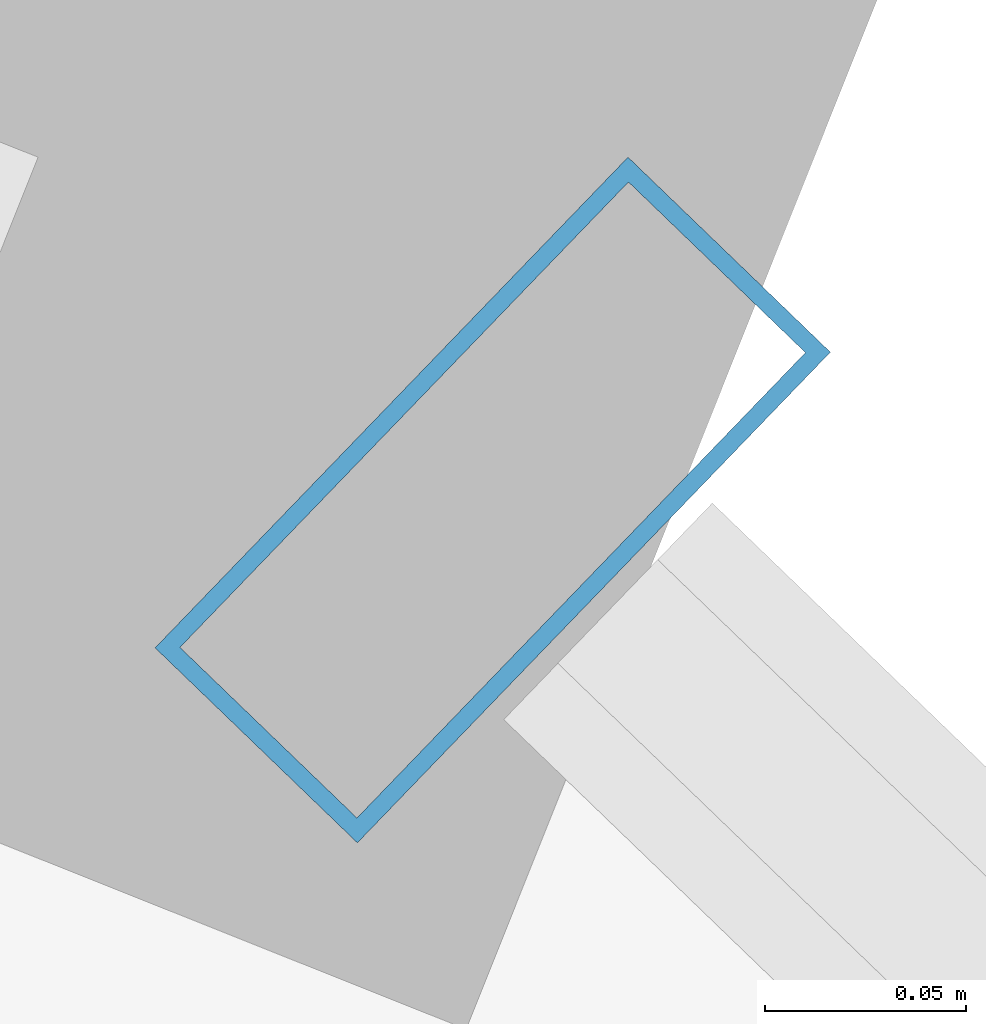
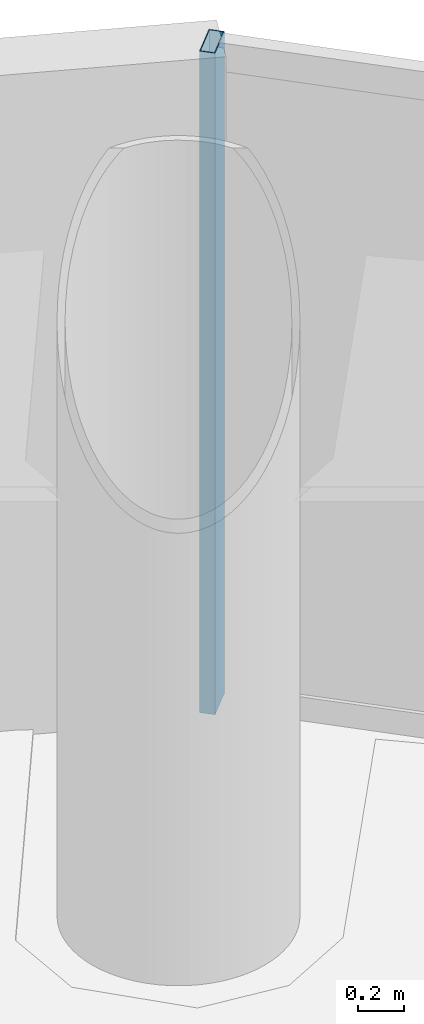
# One storey, part 16 of 24: 1 member, 1 element without a shape of its own.
"""IFC4 building model written with IfcOpenShell, lengths in metres."""

from ifc_helpers import new_model, si_unit, direction, frame, origin, origin_2d, place, context, subcontext, project, spatial, hollow_rectangle, extrude, source, transform, mapped, material, material_profile, profile_set, type_object, element, aggregate, save


model = new_model("IFC4")

# Units and contexts
model_context = context("Model", 3, precision=1e-05, world=origin(), true_north=direction((-0.2419218956, 0.970295726276)))
body_context = subcontext(model_context, "Body", "Model", "MODEL_VIEW")
ifc_project = project(units=[si_unit("LENGTHUNIT", "METRE"), si_unit("AREAUNIT", "SQUARE_METRE"), si_unit("VOLUMEUNIT", "CUBIC_METRE"), si_unit("PLANEANGLEUNIT", "RADIAN"), si_unit("MASSUNIT", "GRAM", prefix="KILO")], contexts=[model_context])

# Site, building, storey
site_placement = place(None, origin())
site = spatial("IfcSite", under=ifc_project, at=site_placement, CompositionType="ELEMENT")
building_placement = place(site_placement, origin())
building = spatial("IfcBuilding", under=site, at=building_placement, Name="Cobrevalo Terracotta Tower", CompositionType="ELEMENT")
storey_placement = place(building_placement, frame((0.0, 0.0, 278.199951171875)))
storey = spatial("IfcBuildingStorey", under=building, at=storey_placement, Name="L73", CompositionType="ELEMENT", Elevation=278.199951171875)

# Curtain wall, member
ifc_material = material(Name="Anodized aluminium", Category="aluminium")
curtain_wall_type = type_object("IfcCurtainWallType", Name="Upper-tower triple-glazed penthouse curtain wall CW-U3", PredefinedType="NOTDEFINED", material=ifc_material)
curtain_wall_placement = place(storey_placement, origin())
curtain_wall = element("IfcCurtainWall", 1, at=curtain_wall_placement, inside=storey, type_object=curtain_wall_type, Name="L73 curtain wall CW-L73-S02", PredefinedType="NOTDEFINED")
ifc_material_profile = material_profile(ifc_material, hollow_rectangle(XDim=0.070068359375, YDim=0.169921875, WallThickness=0.00439453125, at=origin_2d()), Name="CWM 70x170")
ifc_profile_set = profile_set([ifc_material_profile], Name="Anodized aluminium")
member_type = type_object("IfcMemberType", Name="Upper tower unitised mullion 70x170", PredefinedType="MULLION", material=ifc_profile_set)
shared_shape = source(origin(), body_context, "Body", "SweptSolid", [
    extrude(hollow_rectangle(XDim=0.070068359375, YDim=0.169921875, WallThickness=0.00439453125, at=origin_2d()), origin(), (0.0, 0.0, 1.0), 3.489990234375),
])
member_placement = place(storey_placement, frame((48.790283203125, 42.2958984375, 0.0), z_axis=(0.0, 0.0, 1.0), x_axis=(-0.71999418085, 0.69398010025, 0.0)))
member = element("IfcMember", 2, at=member_placement, type_object=member_type, Name="CW-L73-S02 vertical mullion 03", PredefinedType="MULLION", context=body_context, shape_type="MappedRepresentation", body=[
    mapped(shared_shape, transform((0.0, 0.0, 0.0), scale=1.0)),
])
aggregate(curtain_wall, [member])

save(model, "model.ifc")
